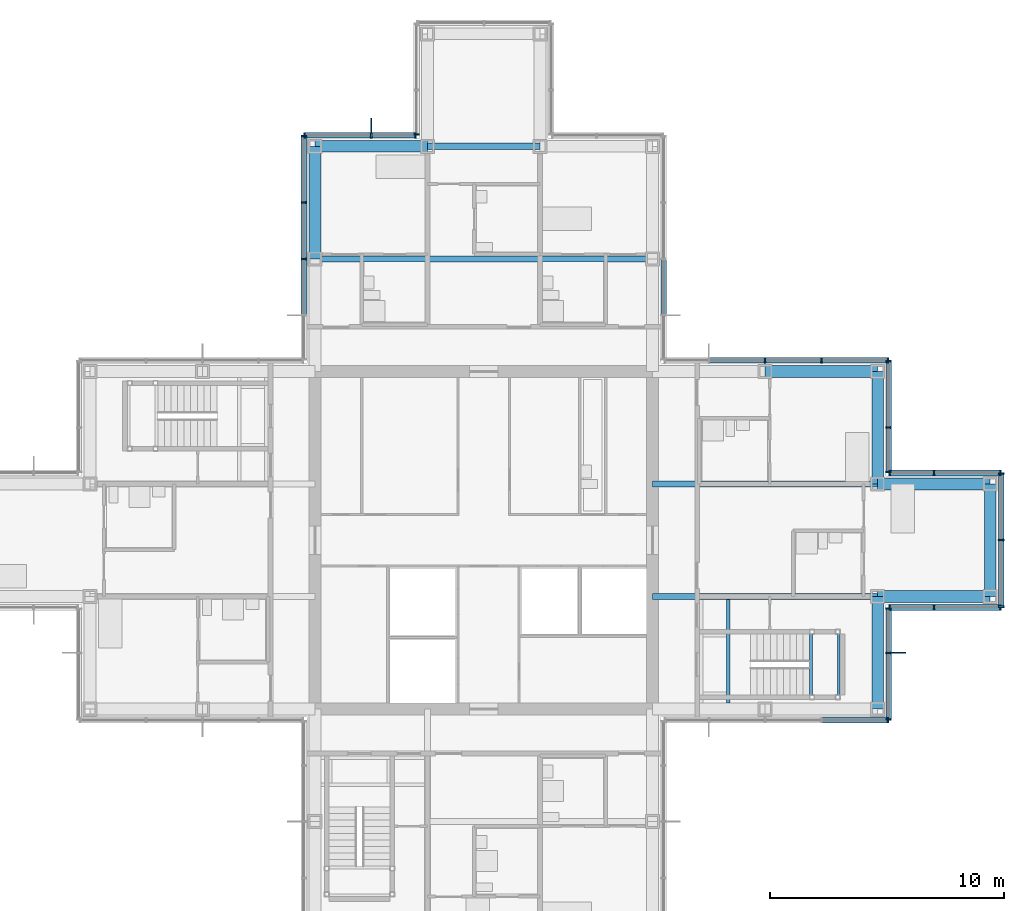
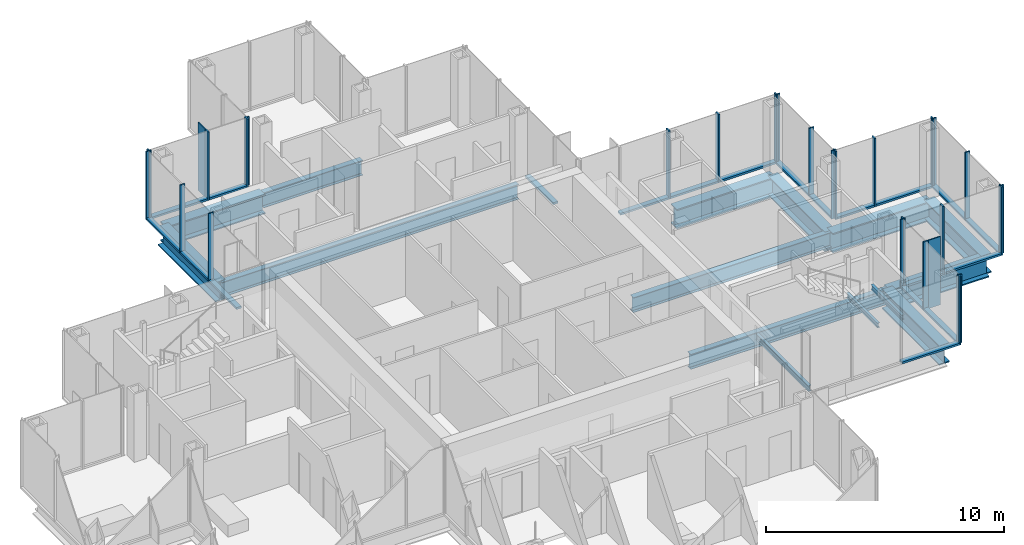
# One storey, part 8 of 17: 48 members, 15 beams, 11 elements without a shape of their own.
"""IFC4 building model written with IfcOpenShell, lengths in metres."""

import ifcopenshell
import ifcopenshell.guid

model = None  # the IFC model being written
_history = None  # IfcOwnerHistory: only IFC2X3 demands one
_inside = {}  # id of a spatial element -> (the spatial element, [elements in it])
_under = {}  # id of a project, library or spatial element -> (it, [spatial elements below it])
_declared = {}  # id of a project -> (the project, [libraries it declares])
_typed = {}  # id of a type object -> (the type object, [elements of that type])
_made_of = {}  # id of a material, layer set ... -> (it, [elements and type objects made of it])


def new_model(schema):
    """Start an empty IFC model of exactly this schema.

    Asked for "IFC4X3", IfcOpenShell would pick the latest addendum, in which some entities
    have other attributes; the version numbers below select the first issue.
    IFC2X3 requires an IfcOwnerHistory on every rooted entity: one is made here for all.
    """
    global model, _history
    if schema == "IFC4X3":
        model = ifcopenshell.file(schema_version=(4, 3, 0, 0))
    else:
        model = ifcopenshell.file(schema=schema)
    _inside.clear()
    _under.clear()
    _declared.clear()
    _typed.clear()
    _made_of.clear()
    _history = None
    if model.schema == "IFC2X3":
        org = make("IfcOrganization", Name="unknown")
        user = make(
            "IfcPersonAndOrganization",
            ThePerson=make("IfcPerson", FamilyName="unknown"),
            TheOrganization=org,
        )
        app = make(
            "IfcApplication",
            ApplicationDeveloper=org,
            Version="unknown",
            ApplicationFullName="unknown",
            ApplicationIdentifier="unknown",
        )
        _history = make(
            "IfcOwnerHistory",
            OwningUser=user,
            OwningApplication=app,
            ChangeAction="ADDED",
            CreationDate=0,
        )
    return model


def make(cls, **values):
    """One entity of the class cls with the attributes given. An attribute that is None is left unset."""
    return model.create_entity(
        cls, **{name: value for name, value in values.items() if value is not None}
    )


def rooted(cls, **values):
    """An entity with a GlobalId (a new one), such as an element, a storey or a relation."""
    return make(cls, GlobalId=ifcopenshell.guid.new(), OwnerHistory=_history, **values)


def si_unit(unit_type, name, prefix=None):
    """IfcSIUnit, for example si_unit("LENGTHUNIT", "METRE", prefix="MILLI")."""
    return make("IfcSIUnit", UnitType=unit_type, Prefix=prefix, Name=name)


def assignment(units):
    """IfcUnitAssignment: the units of a project."""
    return None if units is None else make("IfcUnitAssignment", Units=units)


def point(xyz):
    """IfcCartesianPoint."""
    return None if xyz is None else make("IfcCartesianPoint", Coordinates=xyz)


def direction(xyz):
    """IfcDirection."""
    return None if xyz is None else make("IfcDirection", DirectionRatios=xyz)


def frame(location, z_axis=None, x_axis=None):
    """IfcAxis2Placement3D, a coordinate frame: its origin and axes. An axis left out is left unset."""
    return make(
        "IfcAxis2Placement3D",
        Location=point(location),
        Axis=direction(z_axis),
        RefDirection=direction(x_axis),
    )


def frame_2d(location, x_axis=None):
    """IfcAxis2Placement2D, a coordinate frame in the plane: its origin and x axis."""
    return make(
        "IfcAxis2Placement2D", Location=point(location), RefDirection=direction(x_axis)
    )


def origin():
    """The frame at (0, 0, 0) with its axes left unset."""
    return frame((0.0, 0.0, 0.0))


def origin_2d():
    """The frame at (0, 0) in the plane with its x axis left unset."""
    return frame_2d((0.0, 0.0))


def place(relative_to, where):
    """IfcLocalPlacement: puts the frame where relative to a parent placement (None: the world)."""
    return make(
        "IfcLocalPlacement", PlacementRelTo=relative_to, RelativePlacement=where
    )


def context(
    kind, dimensions, precision=None, world=None, true_north=None, identifier=None
):
    """IfcGeometricRepresentationContext, for example the 3D "Model" context."""
    return make(
        "IfcGeometricRepresentationContext",
        ContextIdentifier=identifier,
        ContextType=kind,
        CoordinateSpaceDimension=dimensions,
        Precision=precision,
        WorldCoordinateSystem=world,
        TrueNorth=true_north,
    )


def subcontext(parent, identifier, kind, view, scale=None):
    """IfcGeometricRepresentationSubContext, for example "Body" below "Model"."""
    return make(
        "IfcGeometricRepresentationSubContext",
        ContextIdentifier=identifier,
        ContextType=kind,
        ParentContext=parent,
        TargetScale=scale,
        TargetView=view,
    )


def project(units=None, contexts=None):
    """IfcProject with its units and contexts."""
    return rooted(
        "IfcProject",
        Name="project",
        RepresentationContexts=contexts,
        UnitsInContext=assignment(units),
    )


def spatial(cls, under=None, at=None, **own):
    """A site, building, storey or space (cls), placed at a placement, below another one or the project."""
    s = rooted(cls, ObjectPlacement=at, **own)
    if under is not None:
        _under.setdefault(under.id(), (under, []))[1].append(s)
    return s


def profile(cls, at=None, kind="AREA", **sizes):
    """A parametric profile (cls). Its sizes go by their IFC names, for example OverallWidth=200.0."""
    return make(cls, ProfileType=kind, Position=at, **sizes)


def rectangle(**sizes):
    """IfcRectangleProfileDef."""
    return profile("IfcRectangleProfileDef", **sizes)


def i_section(**sizes):
    """IfcIShapeProfileDef."""
    return profile("IfcIShapeProfileDef", **sizes)


def extrude(swept, where, along, depth):
    """IfcExtrudedAreaSolid: the profile swept, set in the frame where, extruded along a direction by depth."""
    return make(
        "IfcExtrudedAreaSolid",
        SweptArea=swept,
        Position=where,
        ExtrudedDirection=direction(along),
        Depth=depth,
    )


def shape(context_of_items, identifier, shape_type, items):
    """IfcShapeRepresentation: the items that make up one representation, for example the "Body"."""
    return make(
        "IfcShapeRepresentation",
        ContextOfItems=context_of_items,
        RepresentationIdentifier=identifier,
        RepresentationType=shape_type,
        Items=items,
    )


def material(Name=None, Category=None):
    """IfcMaterial."""
    return make("IfcMaterial", Name=Name, Category=Category)


def material_profile(
    of_material, cross_section, Name=None, Category=None, Priority=None
):
    """IfcMaterialProfile: a cross section and its material."""
    return make(
        "IfcMaterialProfile",
        Name=Name,
        Material=of_material,
        Profile=cross_section,
        Priority=Priority,
        Category=Category,
    )


def profile_set(profiles, Name=None, composite=None):
    """IfcMaterialProfileSet."""
    return make(
        "IfcMaterialProfileSet",
        Name=Name,
        MaterialProfiles=profiles,
        CompositeProfile=composite,
    )


def made_of(thing, what):
    """Note that an element or type object is made of a material, layer set ...; save() writes the relation."""
    if what is not None:
        _made_of.setdefault(what.id(), (what, []))[1].append(thing)
    return thing


def type_object(cls, material=None, **own):
    """A type object (cls), such as IfcWallType, which elements share."""
    return made_of(rooted(cls, **own), material)


def element(
    cls,
    number,
    at=None,
    inside=None,
    cuts=None,
    type_object=None,
    material=None,
    context=None,
    identifier="Body",
    shape_type=None,
    held_by="IfcProductDefinitionShape",
    body=None,
    shapes=None,
    **own,
):
    """One element of the class cls, such as IfcWall. Its Tag is "e" and its number.

    at: its placement. inside: the storey or other place that contains it. cuts: it is an
    opening in that element (IfcRelVoidsElement). A single representation is given by context,
    identifier, shape_type and body (its items); several are given by shapes. held_by: the class
    of the entity that holds the representations. save() writes the other relations.
    """
    e = rooted(cls, Tag="e%d" % number, ObjectPlacement=at, **own)
    if body is not None:
        shapes = [shape(context, identifier, shape_type, body)]
    if shapes is not None:
        e.Representation = make(held_by, Representations=shapes)
    if inside is not None:
        _inside.setdefault(inside.id(), (inside, []))[1].append(e)
    if cuts is not None:
        rooted(
            "IfcRelVoidsElement", RelatingBuildingElement=cuts, RelatedOpeningElement=e
        )
    if type_object is not None:
        _typed.setdefault(type_object.id(), (type_object, []))[1].append(e)
    return made_of(e, material)


def aggregate(whole, parts):
    """IfcRelAggregates: a whole, such as a stair, and the parts it consists of."""
    return rooted("IfcRelAggregates", RelatingObject=whole, RelatedObjects=parts)


def save(model, path):
    """Write the relations noted so far, then the file.

    IfcRelAggregates (storeys below a building ...), IfcRelContainedInSpatialStructure (elements
    in a storey), IfcRelDefinesByType, IfcRelAssociatesMaterial and IfcRelDeclares: one each for
    every whole, place, type object, material and project.
    """
    for whole, parts in _under.values():
        aggregate(whole, parts)
    for where, things in _inside.values():
        rooted(
            "IfcRelContainedInSpatialStructure",
            RelatedElements=things,
            RelatingStructure=where,
        )
    for kind, things in _typed.values():
        rooted("IfcRelDefinesByType", RelatedObjects=things, RelatingType=kind)
    for what, things in _made_of.values():
        rooted("IfcRelAssociatesMaterial", RelatedObjects=things, RelatingMaterial=what)
    for by, libraries in _declared.values():
        rooted("IfcRelDeclares", RelatingContext=by, RelatedDefinitions=libraries)
    model.write(path)


model = new_model("IFC4")

# Units and contexts
model_context = context("Model", 3, precision=1e-05, world=origin(), true_north=direction((0.0, 1.0)))
body_context = subcontext(model_context, "Body", "Model", "MODEL_VIEW")
ifc_project = project(units=[si_unit("LENGTHUNIT", "METRE"), si_unit("AREAUNIT", "SQUARE_METRE"), si_unit("VOLUMEUNIT", "CUBIC_METRE"), si_unit("PLANEANGLEUNIT", "RADIAN"), si_unit("MASSUNIT", "GRAM", prefix="KILO")], contexts=[model_context])

# Site, building, storey
site_placement = place(None, origin())
site = spatial("IfcSite", under=ifc_project, at=site_placement, CompositionType="ELEMENT")
building_placement = place(site_placement, origin())
building = spatial("IfcBuilding", under=site, at=building_placement, Name="Kvirike Care Tower", CompositionType="ELEMENT")
storey_placement = place(building_placement, frame((0.0, 0.0, 183.0)))
storey = spatial("IfcBuildingStorey", under=building, at=storey_placement, Name="L50", CompositionType="ELEMENT", Elevation=183.0)

# Curtain wall, member
ifc_material_1 = material(Name="Anodised aluminium stick system", Category="aluminium")
curtain_wall_type = type_object("IfcCurtainWallType", Name="CW-C STICK CURTAIN WALL", PredefinedType="NOTDEFINED", material=ifc_material_1)
curtain_wall_1_placement = place(storey_placement, origin())
curtain_wall_1 = element("IfcCurtainWall", 1, at=curtain_wall_1_placement, inside=storey, type_object=curtain_wall_type, Name="Curtain wall L50 face 2", PredefinedType="NOTDEFINED")
ifc_material_2 = material(Name="Bronze anodised aluminium fin", Category="aluminium")
ifc_material_profile_1 = material_profile(ifc_material_2, rectangle(XDim=0.050048828125, YDim=0.60009765625, at=origin_2d()), Name="BRONZE FIN 600")
ifc_profile_set_1 = profile_set([ifc_material_profile_1], Name="Bronze anodised aluminium fin")
member_type_1 = type_object("IfcMemberType", Name="BRONZE FIN 600", PredefinedType="USERDEFINED", material=ifc_profile_set_1)
member_1_placement = place(storey_placement, frame((39.2900390625, 31.199951171875, 0.0), z_axis=(0.0, 0.0, 1.0), x_axis=(0.0, 1.0, 0.0)))
member_1 = element("IfcMember", 2, at=member_1_placement, type_object=member_type_1, Name="Bronze fin L50 face 2.2", ObjectType="FIN", PredefinedType="USERDEFINED", context=body_context, shape_type="SweptSolid", body=[
    extrude(rectangle(XDim=0.050048828125, YDim=0.60009765625, at=origin_2d()), origin(), (0.0, 0.0, 1.0), 3.5),
])

curtain_wall_2_placement = place(storey_placement, origin())
curtain_wall_2 = element("IfcCurtainWall", 3, at=curtain_wall_2_placement, inside=storey, type_object=curtain_wall_type, Name="Curtain wall L50 face 13", PredefinedType="NOTDEFINED")
member_2_placement = place(storey_placement, frame((16.800048828125, 53.68994140625, 0.0), z_axis=(0.0, 0.0, 1.0), x_axis=(-1.0, 0.0, 0.0)))
member_2 = element("IfcMember", 4, at=member_2_placement, type_object=member_type_1, Name="Bronze fin L50 face 13.2", ObjectType="FIN", PredefinedType="USERDEFINED", context=body_context, shape_type="SweptSolid", body=[
    extrude(rectangle(XDim=0.050048828125, YDim=0.60009765625, at=origin_2d()), origin(), (0.0, 0.0, 1.0), 3.5),
])

curtain_wall_3_placement = place(storey_placement, origin())
curtain_wall_3 = element("IfcCurtainWall", 5, at=curtain_wall_3_placement, inside=storey, type_object=curtain_wall_type, Name="Curtain wall L50 face 1", PredefinedType="NOTDEFINED")
ifc_material_3 = material(Name="Bronze anodised aluminium mullion", Category="aluminium")
ifc_material_profile_2 = material_profile(ifc_material_3, rectangle(XDim=0.06494140625, YDim=0.239990234375, at=origin_2d()), Name="CW-C MULLION 65x240")
ifc_profile_set_2 = profile_set([ifc_material_profile_2], Name="Bronze anodised aluminium mullion")
member_type_2 = type_object("IfcMemberType", Name="CW-C MULLION 65x240", PredefinedType="MULLION", material=ifc_profile_set_2)
member_3_placement = place(storey_placement, frame((38.83740234375, 28.330078125, 0.0), z_axis=(0.0, 0.0, 1.0), x_axis=(1.0, 0.0, 0.0)))
member_3 = element("IfcMember", 6, at=member_3_placement, type_object=member_type_2, Name="CW-C mullion L50 face 1.5", PredefinedType="MULLION", context=body_context, shape_type="SweptSolid", body=[
    extrude(rectangle(XDim=0.06494140625, YDim=0.239990234375, at=origin_2d()), origin(), (0.0, 0.0, 1.0), 3.5),
])

# Member
member_4_placement = place(storey_placement, frame((38.8701171875, 28.362548828125, 0.0), z_axis=(0.0, 0.0, 1.0), x_axis=(0.0, 1.0, 0.0)))
member_4 = element("IfcMember", 7, at=member_4_placement, type_object=member_type_2, Name="CW-C mullion L50 face 2.1", PredefinedType="MULLION", context=body_context, shape_type="SweptSolid", body=[
    extrude(rectangle(XDim=0.06494140625, YDim=0.239990234375, at=origin_2d()), origin(), (0.0, 0.0, 1.0), 3.5),
])

member_5_placement = place(storey_placement, frame((38.8701171875, 31.199951171875, 0.0), z_axis=(0.0, 0.0, 1.0), x_axis=(0.0, 1.0, 0.0)))
member_5 = element("IfcMember", 8, at=member_5_placement, type_object=member_type_2, Name="CW-C mullion L50 face 2.2", PredefinedType="MULLION", context=body_context, shape_type="SweptSolid", body=[
    extrude(rectangle(XDim=0.06494140625, YDim=0.239990234375, at=origin_2d()), origin(), (0.0, 0.0, 1.0), 3.5),
])

member_6_placement = place(storey_placement, frame((38.8701171875, 33.097412109375, 0.0), z_axis=(0.0, 0.0, 1.0), x_axis=(0.0, 1.0, 0.0)))
member_6 = element("IfcMember", 9, at=member_6_placement, type_object=member_type_2, Name="CW-C mullion L50 face 2.3", PredefinedType="MULLION", context=body_context, shape_type="SweptSolid", body=[
    extrude(rectangle(XDim=0.06494140625, YDim=0.239990234375, at=origin_2d()), origin(), (0.0, 0.0, 1.0), 3.5),
])

# Curtain wall, members
curtain_wall_4_placement = place(storey_placement, origin())
curtain_wall_4 = element("IfcCurtainWall", 10, at=curtain_wall_4_placement, inside=storey, type_object=curtain_wall_type, Name="Curtain wall L50 face 3", PredefinedType="NOTDEFINED")
member_7_placement = place(storey_placement, frame((38.902587890625, 33.1298828125, 0.0), z_axis=(0.0, 0.0, 1.0), x_axis=(1.0, 0.0, 0.0)))
member_7 = element("IfcMember", 11, at=member_7_placement, type_object=member_type_2, Name="CW-C mullion L50 face 3.1", PredefinedType="MULLION", context=body_context, shape_type="SweptSolid", body=[
    extrude(rectangle(XDim=0.06494140625, YDim=0.239990234375, at=origin_2d()), origin(), (0.0, 0.0, 1.0), 3.5),
])
member_8_placement = place(storey_placement, frame((40.800048828125, 33.1298828125, 0.0), z_axis=(0.0, 0.0, 1.0), x_axis=(1.0, 0.0, 0.0)))
member_8 = element("IfcMember", 12, at=member_8_placement, type_object=member_type_2, Name="CW-C mullion L50 face 3.2", PredefinedType="MULLION", context=body_context, shape_type="SweptSolid", body=[
    extrude(rectangle(XDim=0.06494140625, YDim=0.239990234375, at=origin_2d()), origin(), (0.0, 0.0, 1.0), 3.5),
])
member_9_placement = place(storey_placement, frame((43.637451171875, 33.1298828125, 0.0), z_axis=(0.0, 0.0, 1.0), x_axis=(1.0, 0.0, 0.0)))
member_9 = element("IfcMember", 13, at=member_9_placement, type_object=member_type_2, Name="CW-C mullion L50 face 3.3", PredefinedType="MULLION", context=body_context, shape_type="SweptSolid", body=[
    extrude(rectangle(XDim=0.06494140625, YDim=0.239990234375, at=origin_2d()), origin(), (0.0, 0.0, 1.0), 3.5),
])

curtain_wall_5_placement = place(storey_placement, origin())
curtain_wall_5 = element("IfcCurtainWall", 14, at=curtain_wall_5_placement, inside=storey, type_object=curtain_wall_type, Name="Curtain wall L50 face 4", PredefinedType="NOTDEFINED")
member_10_placement = place(storey_placement, frame((43.669921875, 33.16259765625, 0.0), z_axis=(0.0, 0.0, 1.0), x_axis=(0.0, 1.0, 0.0)))
member_10 = element("IfcMember", 15, at=member_10_placement, type_object=member_type_2, Name="CW-C mullion L50 face 4.1", PredefinedType="MULLION", context=body_context, shape_type="SweptSolid", body=[
    extrude(rectangle(XDim=0.06494140625, YDim=0.239990234375, at=origin_2d()), origin(), (0.0, 0.0, 1.0), 3.5),
])
member_11_placement = place(storey_placement, frame((43.669921875, 36.0, 0.0), z_axis=(0.0, 0.0, 1.0), x_axis=(0.0, 1.0, 0.0)))
member_11 = element("IfcMember", 16, at=member_11_placement, type_object=member_type_2, Name="CW-C mullion L50 face 4.2", PredefinedType="MULLION", context=body_context, shape_type="SweptSolid", body=[
    extrude(rectangle(XDim=0.06494140625, YDim=0.239990234375, at=origin_2d()), origin(), (0.0, 0.0, 1.0), 3.5),
])
member_12_placement = place(storey_placement, frame((43.669921875, 38.83740234375, 0.0), z_axis=(0.0, 0.0, 1.0), x_axis=(0.0, 1.0, 0.0)))
member_12 = element("IfcMember", 17, at=member_12_placement, type_object=member_type_2, Name="CW-C mullion L50 face 4.3", PredefinedType="MULLION", context=body_context, shape_type="SweptSolid", body=[
    extrude(rectangle(XDim=0.06494140625, YDim=0.239990234375, at=origin_2d()), origin(), (0.0, 0.0, 1.0), 3.5),
])

curtain_wall_6_placement = place(storey_placement, origin())
curtain_wall_6 = element("IfcCurtainWall", 18, at=curtain_wall_6_placement, inside=storey, type_object=curtain_wall_type, Name="Curtain wall L50 face 5", PredefinedType="NOTDEFINED")
member_13_placement = place(storey_placement, frame((43.637451171875, 38.8701171875, 0.0), z_axis=(0.0, 0.0, 1.0), x_axis=(-1.0, 0.0, 0.0)))
member_13 = element("IfcMember", 19, at=member_13_placement, type_object=member_type_2, Name="CW-C mullion L50 face 5.1", PredefinedType="MULLION", context=body_context, shape_type="SweptSolid", body=[
    extrude(rectangle(XDim=0.06494140625, YDim=0.239990234375, at=origin_2d()), origin(), (0.0, 0.0, 1.0), 3.5),
])
member_14_placement = place(storey_placement, frame((40.800048828125, 38.8701171875, 0.0), z_axis=(0.0, 0.0, 1.0), x_axis=(-1.0, 0.0, 0.0)))
member_14 = element("IfcMember", 20, at=member_14_placement, type_object=member_type_2, Name="CW-C mullion L50 face 5.2", PredefinedType="MULLION", context=body_context, shape_type="SweptSolid", body=[
    extrude(rectangle(XDim=0.06494140625, YDim=0.239990234375, at=origin_2d()), origin(), (0.0, 0.0, 1.0), 3.5),
])
member_15_placement = place(storey_placement, frame((38.902587890625, 38.8701171875, 0.0), z_axis=(0.0, 0.0, 1.0), x_axis=(-1.0, 0.0, 0.0)))
member_15 = element("IfcMember", 21, at=member_15_placement, type_object=member_type_2, Name="CW-C mullion L50 face 5.3", PredefinedType="MULLION", context=body_context, shape_type="SweptSolid", body=[
    extrude(rectangle(XDim=0.06494140625, YDim=0.239990234375, at=origin_2d()), origin(), (0.0, 0.0, 1.0), 3.5),
])

curtain_wall_7_placement = place(storey_placement, origin())
curtain_wall_7 = element("IfcCurtainWall", 22, at=curtain_wall_7_placement, inside=storey, type_object=curtain_wall_type, Name="Curtain wall L50 face 6", PredefinedType="NOTDEFINED")
member_16_placement = place(storey_placement, frame((38.8701171875, 38.902587890625, 0.0), z_axis=(0.0, 0.0, 1.0), x_axis=(0.0, 1.0, 0.0)))
member_16 = element("IfcMember", 23, at=member_16_placement, type_object=member_type_2, Name="CW-C mullion L50 face 6.1", PredefinedType="MULLION", context=body_context, shape_type="SweptSolid", body=[
    extrude(rectangle(XDim=0.06494140625, YDim=0.239990234375, at=origin_2d()), origin(), (0.0, 0.0, 1.0), 3.5),
])
member_17_placement = place(storey_placement, frame((38.8701171875, 40.800048828125, 0.0), z_axis=(0.0, 0.0, 1.0), x_axis=(0.0, 1.0, 0.0)))
member_17 = element("IfcMember", 24, at=member_17_placement, type_object=member_type_2, Name="CW-C mullion L50 face 6.2", PredefinedType="MULLION", context=body_context, shape_type="SweptSolid", body=[
    extrude(rectangle(XDim=0.06494140625, YDim=0.239990234375, at=origin_2d()), origin(), (0.0, 0.0, 1.0), 3.5),
])
member_18_placement = place(storey_placement, frame((38.8701171875, 43.637451171875, 0.0), z_axis=(0.0, 0.0, 1.0), x_axis=(0.0, 1.0, 0.0)))
member_18 = element("IfcMember", 25, at=member_18_placement, type_object=member_type_2, Name="CW-C mullion L50 face 6.3", PredefinedType="MULLION", context=body_context, shape_type="SweptSolid", body=[
    extrude(rectangle(XDim=0.06494140625, YDim=0.239990234375, at=origin_2d()), origin(), (0.0, 0.0, 1.0), 3.5),
])

curtain_wall_8_placement = place(storey_placement, origin())
curtain_wall_8 = element("IfcCurtainWall", 26, at=curtain_wall_8_placement, inside=storey, type_object=curtain_wall_type, Name="Curtain wall L50 face 7", PredefinedType="NOTDEFINED")
member_19_placement = place(storey_placement, frame((38.83740234375, 43.669921875, 0.0), z_axis=(0.0, 0.0, 1.0), x_axis=(-1.0, 0.0, 0.0)))
member_19 = element("IfcMember", 27, at=member_19_placement, type_object=member_type_2, Name="CW-C mullion L50 face 7.1", PredefinedType="MULLION", context=body_context, shape_type="SweptSolid", body=[
    extrude(rectangle(XDim=0.06494140625, YDim=0.239990234375, at=origin_2d()), origin(), (0.0, 0.0, 1.0), 3.5),
])
member_20_placement = place(storey_placement, frame((36.0, 43.669921875, 0.0), z_axis=(0.0, 0.0, 1.0), x_axis=(-1.0, 0.0, 0.0)))
member_20 = element("IfcMember", 28, at=member_20_placement, type_object=member_type_2, Name="CW-C mullion L50 face 7.2", PredefinedType="MULLION", context=body_context, shape_type="SweptSolid", body=[
    extrude(rectangle(XDim=0.06494140625, YDim=0.239990234375, at=origin_2d()), origin(), (0.0, 0.0, 1.0), 3.5),
])
member_21_placement = place(storey_placement, frame((33.60009765625, 43.669921875, 0.0), z_axis=(0.0, 0.0, 1.0), x_axis=(-1.0, 0.0, 0.0)))
member_21 = element("IfcMember", 29, at=member_21_placement, type_object=member_type_2, Name="CW-C mullion L50 face 7.3", PredefinedType="MULLION", context=body_context, shape_type="SweptSolid", body=[
    extrude(rectangle(XDim=0.06494140625, YDim=0.239990234375, at=origin_2d()), origin(), (0.0, 0.0, 1.0), 3.5),
])

# Curtain wall, member
curtain_wall_9_placement = place(storey_placement, origin())
curtain_wall_9 = element("IfcCurtainWall", 30, at=curtain_wall_9_placement, inside=storey, type_object=curtain_wall_type, Name="Curtain wall L50 face 12", PredefinedType="NOTDEFINED")
member_22_placement = place(storey_placement, frame((18.72998046875, 53.302490234375, 0.0), z_axis=(0.0, 0.0, 1.0), x_axis=(0.0, -1.0, 0.0)))
member_22 = element("IfcMember", 31, at=member_22_placement, type_object=member_type_2, Name="CW-C mullion L50 face 12.3", PredefinedType="MULLION", context=body_context, shape_type="SweptSolid", body=[
    extrude(rectangle(XDim=0.06494140625, YDim=0.239990234375, at=origin_2d()), origin(), (0.0, 0.0, 1.0), 3.5),
])
aggregate(curtain_wall_9, [member_22])

# Member
member_23_placement = place(storey_placement, frame((18.697509765625, 53.27001953125, 0.0), z_axis=(0.0, 0.0, 1.0), x_axis=(-1.0, 0.0, 0.0)))
member_23 = element("IfcMember", 32, at=member_23_placement, type_object=member_type_2, Name="CW-C mullion L50 face 13.1", PredefinedType="MULLION", context=body_context, shape_type="SweptSolid", body=[
    extrude(rectangle(XDim=0.06494140625, YDim=0.239990234375, at=origin_2d()), origin(), (0.0, 0.0, 1.0), 3.5),
])

member_24_placement = place(storey_placement, frame((16.800048828125, 53.27001953125, 0.0), z_axis=(0.0, 0.0, 1.0), x_axis=(-1.0, 0.0, 0.0)))
member_24 = element("IfcMember", 33, at=member_24_placement, type_object=member_type_2, Name="CW-C mullion L50 face 13.2", PredefinedType="MULLION", context=body_context, shape_type="SweptSolid", body=[
    extrude(rectangle(XDim=0.06494140625, YDim=0.239990234375, at=origin_2d()), origin(), (0.0, 0.0, 1.0), 3.5),
])

member_25_placement = place(storey_placement, frame((13.96240234375, 53.27001953125, 0.0), z_axis=(0.0, 0.0, 1.0), x_axis=(-1.0, 0.0, 0.0)))
member_25 = element("IfcMember", 34, at=member_25_placement, type_object=member_type_2, Name="CW-C mullion L50 face 13.3", PredefinedType="MULLION", context=body_context, shape_type="SweptSolid", body=[
    extrude(rectangle(XDim=0.06494140625, YDim=0.239990234375, at=origin_2d()), origin(), (0.0, 0.0, 1.0), 3.5),
])

# Curtain wall, members
curtain_wall_10_placement = place(storey_placement, origin())
curtain_wall_10 = element("IfcCurtainWall", 35, at=curtain_wall_10_placement, inside=storey, type_object=curtain_wall_type, Name="Curtain wall L50 face 14", PredefinedType="NOTDEFINED")
member_26_placement = place(storey_placement, frame((13.929931640625, 53.237548828125, 0.0), z_axis=(0.0, 0.0, 1.0), x_axis=(0.0, -1.0, 0.0)))
member_26 = element("IfcMember", 36, at=member_26_placement, type_object=member_type_2, Name="CW-C mullion L50 face 14.1", PredefinedType="MULLION", context=body_context, shape_type="SweptSolid", body=[
    extrude(rectangle(XDim=0.06494140625, YDim=0.239990234375, at=origin_2d()), origin(), (0.0, 0.0, 1.0), 3.5),
])
member_27_placement = place(storey_placement, frame((13.929931640625, 50.39990234375, 0.0), z_axis=(0.0, 0.0, 1.0), x_axis=(0.0, -1.0, 0.0)))
member_27 = element("IfcMember", 37, at=member_27_placement, type_object=member_type_2, Name="CW-C mullion L50 face 14.2", PredefinedType="MULLION", context=body_context, shape_type="SweptSolid", body=[
    extrude(rectangle(XDim=0.06494140625, YDim=0.239990234375, at=origin_2d()), origin(), (0.0, 0.0, 1.0), 3.5),
])
member_28_placement = place(storey_placement, frame((13.929931640625, 48.0, 0.0), z_axis=(0.0, 0.0, 1.0), x_axis=(0.0, -1.0, 0.0)))
member_28 = element("IfcMember", 38, at=member_28_placement, type_object=member_type_2, Name="CW-C mullion L50 face 14.3", PredefinedType="MULLION", context=body_context, shape_type="SweptSolid", body=[
    extrude(rectangle(XDim=0.06494140625, YDim=0.239990234375, at=origin_2d()), origin(), (0.0, 0.0, 1.0), 3.5),
])

# Member
ifc_material_4 = material(Name="Bronze anodised aluminium transom", Category="aluminium")
ifc_material_profile_3 = material_profile(ifc_material_4, rectangle(XDim=0.239990234375, YDim=0.10009765625, at=origin_2d()), Name="CW-C TRANSOM 240x100")
ifc_profile_set_3 = profile_set([ifc_material_profile_3], Name="Bronze anodised aluminium transom")
member_type_3 = type_object("IfcMemberType", Name="CW-C TRANSOM 240x100", PredefinedType="USERDEFINED", material=ifc_profile_set_3)
member_29_placement = place(storey_placement, frame((36.032470703125, 28.330078125, 0.050048828125), z_axis=(1.0, 0.0, 0.0), x_axis=(0.0, 1.0, 0.0)))
member_29 = element("IfcMember", 39, at=member_29_placement, type_object=member_type_3, Name="CW-C sill transom L50 face 1.4", ObjectType="TRANSOM", PredefinedType="USERDEFINED", context=body_context, shape_type="SweptSolid", body=[
    extrude(rectangle(XDim=0.239990234375, YDim=0.10009765625, at=origin_2d()), origin(), (0.0, 0.0, 1.0), 2.7724609375),
])

aggregate(curtain_wall_3, [member_3, member_29])

member_30_placement = place(storey_placement, frame((38.8701171875, 28.39501953125, 0.050048828125), z_axis=(0.0, 1.0, 0.0), x_axis=(-1.0, 0.0, 0.0)))
member_30 = element("IfcMember", 40, at=member_30_placement, type_object=member_type_3, Name="CW-C sill transom L50 face 2.1", ObjectType="TRANSOM", PredefinedType="USERDEFINED", context=body_context, shape_type="SweptSolid", body=[
    extrude(rectangle(XDim=0.239990234375, YDim=0.10009765625, at=origin_2d()), origin(), (0.0, 0.0, 1.0), 2.7724609375),
])

member_31_placement = place(storey_placement, frame((38.8701171875, 31.232421875, 0.050048828125), z_axis=(0.0, 1.0, 0.0), x_axis=(-1.0, 0.0, 0.0)))
member_31 = element("IfcMember", 41, at=member_31_placement, type_object=member_type_3, Name="CW-C sill transom L50 face 2.2", ObjectType="TRANSOM", PredefinedType="USERDEFINED", context=body_context, shape_type="SweptSolid", body=[
    extrude(rectangle(XDim=0.239990234375, YDim=0.10009765625, at=origin_2d()), origin(), (0.0, 0.0, 1.0), 1.83251953125),
])

aggregate(curtain_wall_1, [member_4, member_5, member_1, member_6, member_30, member_31])

member_32_placement = place(storey_placement, frame((38.93505859375, 33.1298828125, 0.050048828125), z_axis=(1.0, 0.0, 0.0), x_axis=(0.0, 1.0, 0.0)))
member_32 = element("IfcMember", 42, at=member_32_placement, type_object=member_type_3, Name="CW-C sill transom L50 face 3.1", ObjectType="TRANSOM", PredefinedType="USERDEFINED", context=body_context, shape_type="SweptSolid", body=[
    extrude(rectangle(XDim=0.239990234375, YDim=0.10009765625, at=origin_2d()), origin(), (0.0, 0.0, 1.0), 1.83251953125),
])

member_33_placement = place(storey_placement, frame((40.83251953125, 33.1298828125, 0.050048828125), z_axis=(1.0, 0.0, 0.0), x_axis=(0.0, 1.0, 0.0)))
member_33 = element("IfcMember", 43, at=member_33_placement, type_object=member_type_3, Name="CW-C sill transom L50 face 3.2", ObjectType="TRANSOM", PredefinedType="USERDEFINED", context=body_context, shape_type="SweptSolid", body=[
    extrude(rectangle(XDim=0.239990234375, YDim=0.10009765625, at=origin_2d()), origin(), (0.0, 0.0, 1.0), 2.7724609375),
])

aggregate(curtain_wall_4, [member_7, member_8, member_9, member_32, member_33])

member_34_placement = place(storey_placement, frame((43.669921875, 33.195068359375, 0.050048828125), z_axis=(0.0, 1.0, 0.0), x_axis=(-1.0, 0.0, 0.0)))
member_34 = element("IfcMember", 44, at=member_34_placement, type_object=member_type_3, Name="CW-C sill transom L50 face 4.1", ObjectType="TRANSOM", PredefinedType="USERDEFINED", context=body_context, shape_type="SweptSolid", body=[
    extrude(rectangle(XDim=0.239990234375, YDim=0.10009765625, at=origin_2d()), origin(), (0.0, 0.0, 1.0), 2.7724609375),
])

member_35_placement = place(storey_placement, frame((43.669921875, 36.032470703125, 0.050048828125), z_axis=(0.0, 1.0, 0.0), x_axis=(-1.0, 0.0, 0.0)))
member_35 = element("IfcMember", 45, at=member_35_placement, type_object=member_type_3, Name="CW-C sill transom L50 face 4.2", ObjectType="TRANSOM", PredefinedType="USERDEFINED", context=body_context, shape_type="SweptSolid", body=[
    extrude(rectangle(XDim=0.239990234375, YDim=0.10009765625, at=origin_2d()), origin(), (0.0, 0.0, 1.0), 2.7724609375),
])

aggregate(curtain_wall_5, [member_10, member_11, member_12, member_34, member_35])

member_36_placement = place(storey_placement, frame((43.60498046875, 38.8701171875, 0.050048828125), z_axis=(-1.0, 0.0, 0.0), x_axis=(0.0, -1.0, 0.0)))
member_36 = element("IfcMember", 46, at=member_36_placement, type_object=member_type_3, Name="CW-C sill transom L50 face 5.1", ObjectType="TRANSOM", PredefinedType="USERDEFINED", context=body_context, shape_type="SweptSolid", body=[
    extrude(rectangle(XDim=0.239990234375, YDim=0.10009765625, at=origin_2d()), origin(), (0.0, 0.0, 1.0), 2.7724609375),
])

member_37_placement = place(storey_placement, frame((40.767578125, 38.8701171875, 0.050048828125), z_axis=(-1.0, 0.0, 0.0), x_axis=(0.0, -1.0, 0.0)))
member_37 = element("IfcMember", 47, at=member_37_placement, type_object=member_type_3, Name="CW-C sill transom L50 face 5.2", ObjectType="TRANSOM", PredefinedType="USERDEFINED", context=body_context, shape_type="SweptSolid", body=[
    extrude(rectangle(XDim=0.239990234375, YDim=0.10009765625, at=origin_2d()), origin(), (0.0, 0.0, 1.0), 1.83251953125),
])

aggregate(curtain_wall_6, [member_13, member_14, member_15, member_36, member_37])

member_38_placement = place(storey_placement, frame((38.8701171875, 38.93505859375, 0.050048828125), z_axis=(0.0, 1.0, 0.0), x_axis=(-1.0, 0.0, 0.0)))
member_38 = element("IfcMember", 48, at=member_38_placement, type_object=member_type_3, Name="CW-C sill transom L50 face 6.1", ObjectType="TRANSOM", PredefinedType="USERDEFINED", context=body_context, shape_type="SweptSolid", body=[
    extrude(rectangle(XDim=0.239990234375, YDim=0.10009765625, at=origin_2d()), origin(), (0.0, 0.0, 1.0), 1.83251953125),
])

member_39_placement = place(storey_placement, frame((38.8701171875, 40.83251953125, 0.050048828125), z_axis=(0.0, 1.0, 0.0), x_axis=(-1.0, 0.0, 0.0)))
member_39 = element("IfcMember", 49, at=member_39_placement, type_object=member_type_3, Name="CW-C sill transom L50 face 6.2", ObjectType="TRANSOM", PredefinedType="USERDEFINED", context=body_context, shape_type="SweptSolid", body=[
    extrude(rectangle(XDim=0.239990234375, YDim=0.10009765625, at=origin_2d()), origin(), (0.0, 0.0, 1.0), 2.7724609375),
])

aggregate(curtain_wall_7, [member_16, member_17, member_18, member_38, member_39])

member_40_placement = place(storey_placement, frame((38.804931640625, 43.669921875, 0.050048828125), z_axis=(-1.0, 0.0, 0.0), x_axis=(0.0, -1.0, 0.0)))
member_40 = element("IfcMember", 50, at=member_40_placement, type_object=member_type_3, Name="CW-C sill transom L50 face 7.1", ObjectType="TRANSOM", PredefinedType="USERDEFINED", context=body_context, shape_type="SweptSolid", body=[
    extrude(rectangle(XDim=0.239990234375, YDim=0.10009765625, at=origin_2d()), origin(), (0.0, 0.0, 1.0), 2.7724609375),
])

member_41_placement = place(storey_placement, frame((35.967529296875, 43.669921875, 0.050048828125), z_axis=(-1.0, 0.0, 0.0), x_axis=(0.0, -1.0, 0.0)))
member_41 = element("IfcMember", 51, at=member_41_placement, type_object=member_type_3, Name="CW-C sill transom L50 face 7.2", ObjectType="TRANSOM", PredefinedType="USERDEFINED", context=body_context, shape_type="SweptSolid", body=[
    extrude(rectangle(XDim=0.239990234375, YDim=0.10009765625, at=origin_2d()), origin(), (0.0, 0.0, 1.0), 2.3349609375),
])

member_42_placement = place(storey_placement, frame((33.5673828125, 43.669921875, 0.050048828125), z_axis=(-1.0, 0.0, 0.0), x_axis=(0.0, -1.0, 0.0)))
member_42 = element("IfcMember", 52, at=member_42_placement, type_object=member_type_3, Name="CW-C sill transom L50 face 7.3", ObjectType="TRANSOM", PredefinedType="USERDEFINED", context=body_context, shape_type="SweptSolid", body=[
    extrude(rectangle(XDim=0.239990234375, YDim=0.10009765625, at=origin_2d()), origin(), (0.0, 0.0, 1.0), 2.3349609375),
])

aggregate(curtain_wall_8, [member_19, member_20, member_21, member_40, member_41, member_42])

# Curtain wall, member
curtain_wall_11_placement = place(storey_placement, origin())
curtain_wall_11 = element("IfcCurtainWall", 53, at=curtain_wall_11_placement, inside=storey, type_object=curtain_wall_type, Name="Curtain wall L50 face 8", PredefinedType="NOTDEFINED")
member_43_placement = place(storey_placement, frame((29.27001953125, 45.632568359375, 0.050048828125), z_axis=(0.0, 1.0, 0.0), x_axis=(-1.0, 0.0, 0.0)))
member_43 = element("IfcMember", 54, at=member_43_placement, type_object=member_type_3, Name="CW-C sill transom L50 face 8.2", ObjectType="TRANSOM", PredefinedType="USERDEFINED", context=body_context, shape_type="SweptSolid", body=[
    extrude(rectangle(XDim=0.239990234375, YDim=0.10009765625, at=origin_2d()), origin(), (0.0, 0.0, 1.0), 2.3349609375),
])
aggregate(curtain_wall_11, [member_43])

# Member
member_44_placement = place(storey_placement, frame((18.6650390625, 53.27001953125, 0.050048828125), z_axis=(-1.0, 0.0, 0.0), x_axis=(0.0, -1.0, 0.0)))
member_44 = element("IfcMember", 55, at=member_44_placement, type_object=member_type_3, Name="CW-C sill transom L50 face 13.1", ObjectType="TRANSOM", PredefinedType="USERDEFINED", context=body_context, shape_type="SweptSolid", body=[
    extrude(rectangle(XDim=0.239990234375, YDim=0.10009765625, at=origin_2d()), origin(), (0.0, 0.0, 1.0), 1.83251953125),
])

member_45_placement = place(storey_placement, frame((16.767578125, 53.27001953125, 0.050048828125), z_axis=(-1.0, 0.0, 0.0), x_axis=(0.0, -1.0, 0.0)))
member_45 = element("IfcMember", 56, at=member_45_placement, type_object=member_type_3, Name="CW-C sill transom L50 face 13.2", ObjectType="TRANSOM", PredefinedType="USERDEFINED", context=body_context, shape_type="SweptSolid", body=[
    extrude(rectangle(XDim=0.239990234375, YDim=0.10009765625, at=origin_2d()), origin(), (0.0, 0.0, 1.0), 2.7724609375),
])

aggregate(curtain_wall_2, [member_23, member_24, member_2, member_25, member_44, member_45])

member_46_placement = place(storey_placement, frame((13.929931640625, 53.205078125, 0.050048828125), z_axis=(0.0, -1.0, 0.0), x_axis=(1.0, 0.0, 0.0)))
member_46 = element("IfcMember", 57, at=member_46_placement, type_object=member_type_3, Name="CW-C sill transom L50 face 14.1", ObjectType="TRANSOM", PredefinedType="USERDEFINED", context=body_context, shape_type="SweptSolid", body=[
    extrude(rectangle(XDim=0.239990234375, YDim=0.10009765625, at=origin_2d()), origin(), (0.0, 0.0, 1.0), 2.7724609375),
])

member_47_placement = place(storey_placement, frame((13.929931640625, 50.367431640625, 0.050048828125), z_axis=(0.0, -1.0, 0.0), x_axis=(1.0, 0.0, 0.0)))
member_47 = element("IfcMember", 58, at=member_47_placement, type_object=member_type_3, Name="CW-C sill transom L50 face 14.2", ObjectType="TRANSOM", PredefinedType="USERDEFINED", context=body_context, shape_type="SweptSolid", body=[
    extrude(rectangle(XDim=0.239990234375, YDim=0.10009765625, at=origin_2d()), origin(), (0.0, 0.0, 1.0), 2.3349609375),
])

member_48_placement = place(storey_placement, frame((13.929931640625, 47.967529296875, 0.050048828125), z_axis=(0.0, -1.0, 0.0), x_axis=(1.0, 0.0, 0.0)))
member_48 = element("IfcMember", 59, at=member_48_placement, type_object=member_type_3, Name="CW-C sill transom L50 face 14.3", ObjectType="TRANSOM", PredefinedType="USERDEFINED", context=body_context, shape_type="SweptSolid", body=[
    extrude(rectangle(XDim=0.239990234375, YDim=0.10009765625, at=origin_2d()), origin(), (0.0, 0.0, 1.0), 2.3349609375),
])

aggregate(curtain_wall_10, [member_26, member_27, member_28, member_46, member_47, member_48])

# Beams
ifc_material_5 = material(Name="Steel S355", Category="steel")
ifc_material_profile_4 = material_profile(ifc_material_5, i_section(OverallWidth=0.26806640625, OverallDepth=0.77001953125, WebThickness=0.015625, FlangeThickness=0.025390625, FilletRadius=0.01708984375, at=origin_2d()), Name="IPE 750x196")
ifc_profile_set_4 = profile_set([ifc_material_profile_4], Name="Steel S355")
beam_type_1 = type_object("IfcBeamType", Name="FLOOR BEAM IPE 750x196", PredefinedType="BEAM", material=ifc_profile_set_4)
for number, where, z_axis, x_axis, name in (
    (60, (28.800048828125, 33.60009765625, -0.554931640625), (1.0, 0.0, 0.0), (0.0, 1.0, 0.0), "Floor Beam H9-H11 L50"),
    (61, (28.800048828125, 38.39990234375, -0.554931640625), (1.0, 0.0, 0.0), (0.0, 1.0, 0.0), "Floor Beam J9-J11 L50"),
):
    element("IfcBeam", number, at=place(storey_placement, frame(where, z_axis=z_axis, x_axis=x_axis)), inside=storey, type_object=beam_type_1, Name=name, PredefinedType="BEAM", context=body_context, shape_type="SweptSolid", body=[
        extrude(i_section(OverallWidth=0.26806640625, OverallDepth=0.77001953125, WebThickness=0.015625, FlangeThickness=0.025390625, FilletRadius=0.01708984375, at=origin_2d()), origin(), (0.0, 0.0, 1.0), 9.599853515625),
    ])
beam_1_placement = place(storey_placement, frame((14.39990234375, 48.0, -0.554931640625), z_axis=(1.0, 0.0, 0.0), x_axis=(0.0, 1.0, 0.0)))
element("IfcBeam", 62, at=beam_1_placement, inside=storey, type_object=beam_type_1, Name="Floor Beam L6-L9 L50", PredefinedType="BEAM", context=body_context, shape_type="SweptSolid", body=[
    extrude(i_section(OverallWidth=0.26806640625, OverallDepth=0.77001953125, WebThickness=0.015625, FlangeThickness=0.025390625, FilletRadius=0.01708984375, at=origin_2d()), origin(), (0.0, 0.0, 1.0), 14.400146484375),
])
beam_2_placement = place(storey_placement, frame((19.199951171875, 52.800048828125, -0.554931640625), z_axis=(1.0, 0.0, 0.0), x_axis=(0.0, 1.0, 0.0)))
element("IfcBeam", 63, at=beam_2_placement, inside=storey, type_object=beam_type_1, Name="Floor Beam M7-M8 L50", PredefinedType="BEAM", context=body_context, shape_type="SweptSolid", body=[
    extrude(i_section(OverallWidth=0.26806640625, OverallDepth=0.77001953125, WebThickness=0.015625, FlangeThickness=0.025390625, FilletRadius=0.01708984375, at=origin_2d()), origin(), (0.0, 0.0, 1.0), 4.800048828125),
])
ifc_material_6 = material(Name="Steel S355", Category="steel")
ifc_material_profile_5 = material_profile(ifc_material_6, i_section(OverallWidth=0.5, OverallDepth=1.0, WebThickness=0.030029296875, FlangeThickness=0.06005859375, at=origin_2d()), Name="PG 1000x500x30x60")
ifc_profile_set_5 = profile_set([ifc_material_profile_5], Name="Steel S355")
beam_type_2 = type_object("IfcBeamType", Name="SPANDREL PG 1000x500x30x60", PredefinedType="SPANDREL", material=ifc_profile_set_5)
for number, where, z_axis, x_axis, name in (
    (64, (38.39990234375, 33.60009765625, -0.669921875), (1.0, 0.0, 0.0), (0.0, 1.0, 0.0), "Spandrel H11-H12 L50"),
    (65, (38.39990234375, 38.39990234375, -0.669921875), (1.0, 0.0, 0.0), (0.0, 1.0, 0.0), "Spandrel J11-J12 L50"),
):
    element("IfcBeam", number, at=place(storey_placement, frame(where, z_axis=z_axis, x_axis=x_axis)), inside=storey, type_object=beam_type_2, Name=name, PredefinedType="SPANDREL", context=body_context, shape_type="SweptSolid", body=[
        extrude(i_section(OverallWidth=0.5, OverallDepth=1.0, WebThickness=0.030029296875, FlangeThickness=0.06005859375, at=origin_2d()), origin(), (0.0, 0.0, 1.0), 4.800048828125),
    ])
beam_3_placement = place(storey_placement, frame((33.60009765625, 43.199951171875, -0.669921875), z_axis=(1.0, 0.0, 0.0), x_axis=(0.0, 1.0, 0.0)))
element("IfcBeam", 66, at=beam_3_placement, inside=storey, type_object=beam_type_2, Name="Spandrel K10-K11 L50", PredefinedType="SPANDREL", context=body_context, shape_type="SweptSolid", body=[
    extrude(i_section(OverallWidth=0.5, OverallDepth=1.0, WebThickness=0.030029296875, FlangeThickness=0.06005859375, at=origin_2d()), origin(), (0.0, 0.0, 1.0), 4.7998046875),
])
for number, where, z_axis, x_axis, name in (
    (67, (14.39990234375, 52.800048828125, -0.669921875), (1.0, 0.0, 0.0), (0.0, 1.0, 0.0), "Spandrel M6-M7 L50"),
    (68, (14.39990234375, 48.0, -0.669921875), (0.0, 1.0, 0.0), (-1.0, 0.0, 0.0), "Spandrel L6-M6 L50"),
    (69, (38.39990234375, 28.800048828125, -0.669921875), (0.0, 1.0, 0.0), (-1.0, 0.0, 0.0), "Spandrel G11-H11 L50"),
    (70, (38.39990234375, 38.39990234375, -0.669921875), (0.0, 1.0, 0.0), (-1.0, 0.0, 0.0), "Spandrel J11-K11 L50"),
):
    element("IfcBeam", number, at=place(storey_placement, frame(where, z_axis=z_axis, x_axis=x_axis)), inside=storey, type_object=beam_type_2, Name=name, PredefinedType="SPANDREL", context=body_context, shape_type="SweptSolid", body=[
        extrude(i_section(OverallWidth=0.5, OverallDepth=1.0, WebThickness=0.030029296875, FlangeThickness=0.06005859375, at=origin_2d()), origin(), (0.0, 0.0, 1.0), 4.800048828125),
    ])
beam_4_placement = place(storey_placement, frame((43.199951171875, 33.60009765625, -0.669921875), z_axis=(0.0, 1.0, 0.0), x_axis=(-1.0, 0.0, 0.0)))
element("IfcBeam", 71, at=beam_4_placement, inside=storey, type_object=beam_type_2, Name="Spandrel H12-J12 L50", PredefinedType="SPANDREL", context=body_context, shape_type="SweptSolid", body=[
    extrude(i_section(OverallWidth=0.5, OverallDepth=1.0, WebThickness=0.030029296875, FlangeThickness=0.06005859375, at=origin_2d()), origin(), (0.0, 0.0, 1.0), 4.7998046875),
])
ifc_material_7 = material(Name="Steel S355", Category="steel")
ifc_material_profile_6 = material_profile(ifc_material_7, i_section(OverallWidth=0.1201171875, OverallDepth=0.239990234375, WebThickness=0.006103515625, FlangeThickness=0.009765625, FilletRadius=0.014892578125, at=origin_2d()), Name="IPE 240")
ifc_profile_set_6 = profile_set([ifc_material_profile_6], Name="Steel S355")
beam_type_3 = type_object("IfcBeamType", Name="STAIR LANDING BEAM IPE 240", PredefinedType="BEAM", material=ifc_profile_set_6)
for number, where, z_axis, x_axis, name in (
    (72, (36.739990234375, 29.39990234375, 1.429931640625), (0.0, 1.0, 0.0), (-1.0, 0.0, 0.0), "Stair 2 landing beam back L50"),
    (73, (35.56005859375, 29.39990234375, 1.429931640625), (0.0, 1.0, 0.0), (-1.0, 0.0, 0.0), "Stair 2 landing beam front L50"),
):
    element("IfcBeam", number, at=place(storey_placement, frame(where, z_axis=z_axis, x_axis=x_axis)), inside=storey, type_object=beam_type_3, Name=name, PredefinedType="BEAM", context=body_context, shape_type="SweptSolid", body=[
        extrude(i_section(OverallWidth=0.1201171875, OverallDepth=0.239990234375, WebThickness=0.006103515625, FlangeThickness=0.009765625, FilletRadius=0.014892578125, at=origin_2d()), origin(), (0.0, 0.0, 1.0), 2.60009765625),
    ])
ifc_material_8 = material(Name="Steel S355", Category="steel")
ifc_material_profile_7 = material_profile(ifc_material_8, i_section(OverallWidth=0.14990234375, OverallDepth=0.300048828125, WebThickness=0.007080078125, FlangeThickness=0.0107421875, FilletRadius=0.014892578125, at=origin_2d()), Name="IPE 300")
ifc_profile_set_7 = profile_set([ifc_material_profile_7], Name="Steel S355")
beam_type_4 = type_object("IfcBeamType", Name="STAIR TRIMMER IPE 300", PredefinedType="BEAM", material=ifc_profile_set_7)
beam_5_placement = place(storey_placement, frame((32.02490234375, 29.050048828125, -0.35009765625), z_axis=(0.0, 1.0, 0.0), x_axis=(-1.0, 0.0, 0.0)))
element("IfcBeam", 74, at=beam_5_placement, inside=storey, type_object=beam_type_4, Name="Stair 2 trimmer 1 L50", PredefinedType="BEAM", context=body_context, shape_type="SweptSolid", body=[
    extrude(i_section(OverallWidth=0.14990234375, OverallDepth=0.300048828125, WebThickness=0.007080078125, FlangeThickness=0.0107421875, FilletRadius=0.014892578125, at=origin_2d()), origin(), (0.0, 0.0, 1.0), 4.416015625),
])

save(model, "model.ifc")
